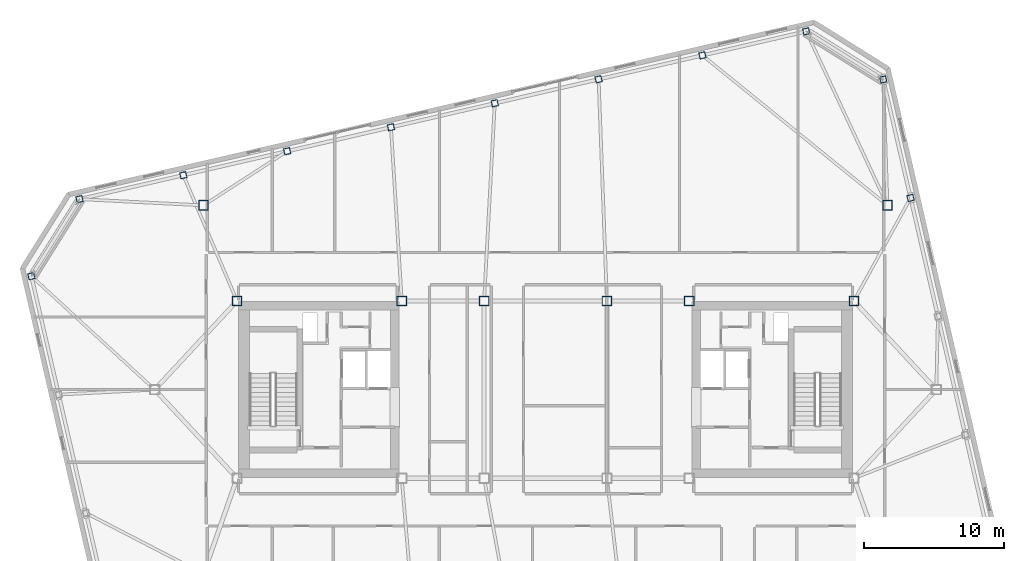
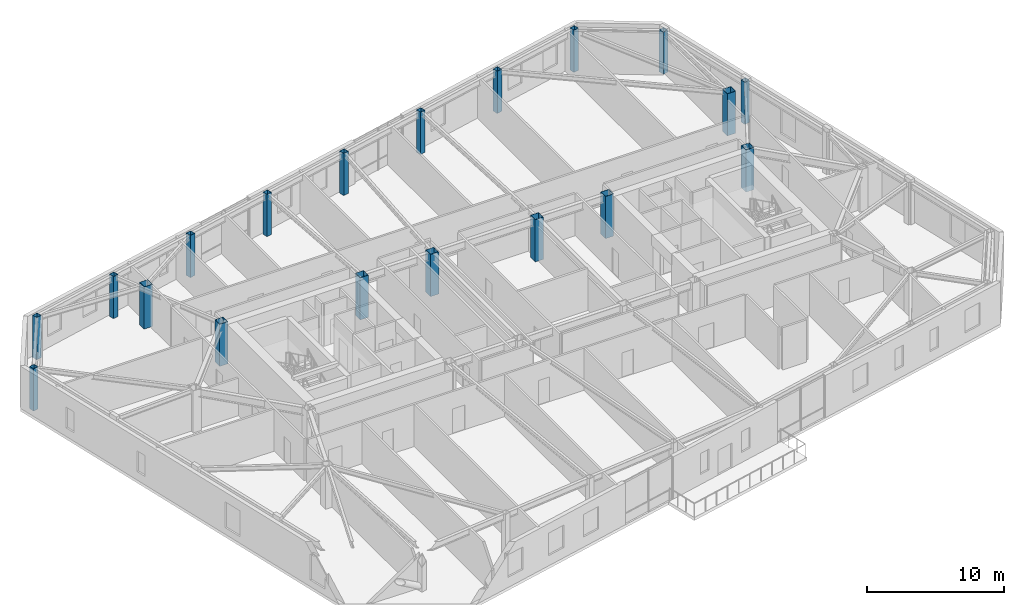
# One storey, part 2 of 24: 19 columns.
"""IFC4 building model written with IfcOpenShell, lengths in metres."""

from ifc_helpers import new_model, si_unit, direction, frame, origin, origin_2d, place, context, subcontext, project, spatial, hollow_rectangle, extrude, material, material_profile, profile_set, type_object, element, save


model = new_model("IFC4")

# Units and contexts
model_context = context("Model", 3, precision=1e-05, world=origin(), true_north=direction((0.0, 1.0)))
body_context = subcontext(model_context, "Body", "Model", "MODEL_VIEW")
ifc_project = project(units=[si_unit("LENGTHUNIT", "METRE"), si_unit("AREAUNIT", "SQUARE_METRE"), si_unit("VOLUMEUNIT", "CUBIC_METRE"), si_unit("PLANEANGLEUNIT", "RADIAN"), si_unit("MASSUNIT", "GRAM", prefix="KILO")], contexts=[model_context])

# Site, building, storey
site_placement = place(None, origin())
site = spatial("IfcSite", under=ifc_project, at=site_placement, CompositionType="ELEMENT")
building_placement = place(site_placement, origin())
building = spatial("IfcBuilding", under=site, at=building_placement, Name="Tavrogorsk Clinical Tower", CompositionType="ELEMENT")
storey_placement = place(building_placement, frame((0.0, 0.0, 325.0)))
storey = spatial("IfcBuildingStorey", under=building, at=storey_placement, Name="L76", CompositionType="ELEMENT", Elevation=325.0)

# Columns
ifc_material_1 = material(Name="Structural steel S440", Category="steel")
ifc_material_profile_1 = material_profile(ifc_material_1, hollow_rectangle(XDim=0.699951171875, YDim=0.699951171875, WallThickness=0.031982421875, at=origin_2d()), Name="BOX-700x700x32")
ifc_profile_set_1 = profile_set([ifc_material_profile_1], Name="Structural steel S440")
column_type_1 = type_object("IfcColumnType", Name="MegaCol_BOX700", PredefinedType="COLUMN", material=ifc_profile_set_1)
for number, where, z_axis, x_axis, name in (
    (1, (-22.10009765625, 6.35009765625, 0.0), (0.0, 0.0, 1.0), (1.0, 0.0, 0.0), "L76 Mega Column MC-W2"),
    (2, (-10.300048828125, 6.35009765625, 0.0), (0.0, 0.0, 1.0), (1.0, 0.0, 0.0), "L76 Mega Column MC-W4"),
    (3, (10.300048828125, 6.35009765625, 0.0), (0.0, 0.0, 1.0), (1.0, 0.0, 0.0), "L76 Mega Column MC-E2"),
    (4, (22.10009765625, 6.35009765625, 0.0), (0.0, 0.0, 1.0), (1.0, 0.0, 0.0), "L76 Mega Column MC-E4"),
    (5, (-4.39990234375, 6.35009765625, 0.0), (0.0, 0.0, 1.0), (1.0, 0.0, 0.0), "L76 Mega Column MC-C3"),
    (6, (4.39990234375, 6.35009765625, 0.0), (0.0, 0.0, 1.0), (1.0, 0.0, 0.0), "L76 Mega Column MC-C4"),
    (7, (-24.5, 13.199951171875, 0.0), (0.0, 0.0, 1.0), (1.0, 0.0, 0.0), "L76 Spine Pilotis Column MC-P3"),
    (8, (24.5, 13.199951171875, 0.0), (0.0, 0.0, 1.0), (1.0, 0.0, 0.0), "L76 Spine Pilotis Column MC-P4"),
):
    element("IfcColumn", number, at=place(storey_placement, frame(where, z_axis=z_axis, x_axis=x_axis)), inside=storey, type_object=column_type_1, Name=name, PredefinedType="COLUMN", context=body_context, shape_type="SweptSolid", body=[
        extrude(hollow_rectangle(XDim=0.699951171875, YDim=0.699951171875, WallThickness=0.031982421875, at=origin_2d()), origin(), (0.0, 0.0, 1.0), 3.739990234375),
    ])
ifc_material_2 = material(Name="Structural steel S440", Category="steel")
ifc_material_profile_2 = material_profile(ifc_material_2, hollow_rectangle(XDim=0.449951171875, YDim=0.449951171875, WallThickness=0.02197265625, at=origin_2d()), Name="BOX-450x450x22")
ifc_profile_set_2 = profile_set([ifc_material_profile_2], Name="Structural steel S440")
column_type_2 = type_object("IfcColumnType", Name="PerimCol_B5_BOX450", PredefinedType="COLUMN", material=ifc_profile_set_2)
for number, where, z_axis, x_axis, name in (
    (9, (18.681640625, 25.666259765625, 0.0), (0.0, 0.0, 1.0), (0.974370064785, 0.224951054344, 0.0), "L76 Perimeter Column N1"),
    (10, (11.2431640625, 23.948974609375, 0.0), (0.0, 0.0, 1.0), (0.974370064785, 0.224951054344, 0.0), "L76 Perimeter Column N2"),
    (11, (3.804443359375, 22.231689453125, 0.0), (0.0, 0.0, 1.0), (0.974370064785, 0.224951054344, 0.0), "L76 Perimeter Column N3"),
    (12, (-3.63427734375, 20.514404296875, 0.0), (0.0, 0.0, 1.0), (0.974370064785, 0.224951054344, 0.0), "L76 Perimeter Column N4"),
    (13, (-11.07275390625, 18.797119140625, 0.0), (0.0, 0.0, 1.0), (0.974370064785, 0.224951054344, 0.0), "L76 Perimeter Column N5"),
    (14, (-18.51123046875, 17.07958984375, 0.0), (0.0, 0.0, 1.0), (0.974370064785, 0.224951054344, 0.0), "L76 Perimeter Column N6"),
    (15, (-25.949951171875, 15.3623046875, 0.0), (0.0, 0.0, 1.0), (0.974370064785, 0.224951054344, 0.0), "L76 Perimeter Column N7"),
    (16, (-33.388671875, 13.64501953125, 0.0), (0.0, 0.0, 1.0), (0.974370064785, 0.224951054344, 0.0), "L76 Perimeter Column N8"),
    (17, (26.157958984375, 13.732177734375, 0.0), (0.0, 0.0, 1.0), (0.974370064785, 0.224951054344, 0.0), "L76 Perimeter Column E4"),
    (18, (24.198486328125, 22.218994140625, 0.0), (0.0, 0.0, 1.0), (0.974370064785, 0.224951054344, 0.0), "L76 Perimeter Column E5"),
    (19, (-36.8359375, 8.128173828125, 0.0), (0.0, 0.0, 1.0), (0.974370064785, 0.224951054344, 0.0), "L76 Perimeter Column W1"),
):
    element("IfcColumn", number, at=place(storey_placement, frame(where, z_axis=z_axis, x_axis=x_axis)), inside=storey, type_object=column_type_2, Name=name, PredefinedType="COLUMN", context=body_context, shape_type="SweptSolid", body=[
        extrude(hollow_rectangle(XDim=0.449951171875, YDim=0.449951171875, WallThickness=0.02197265625, at=origin_2d()), origin(), (0.0, 0.0, 1.0), 3.739990234375),
    ])

save(model, "model.ifc")
